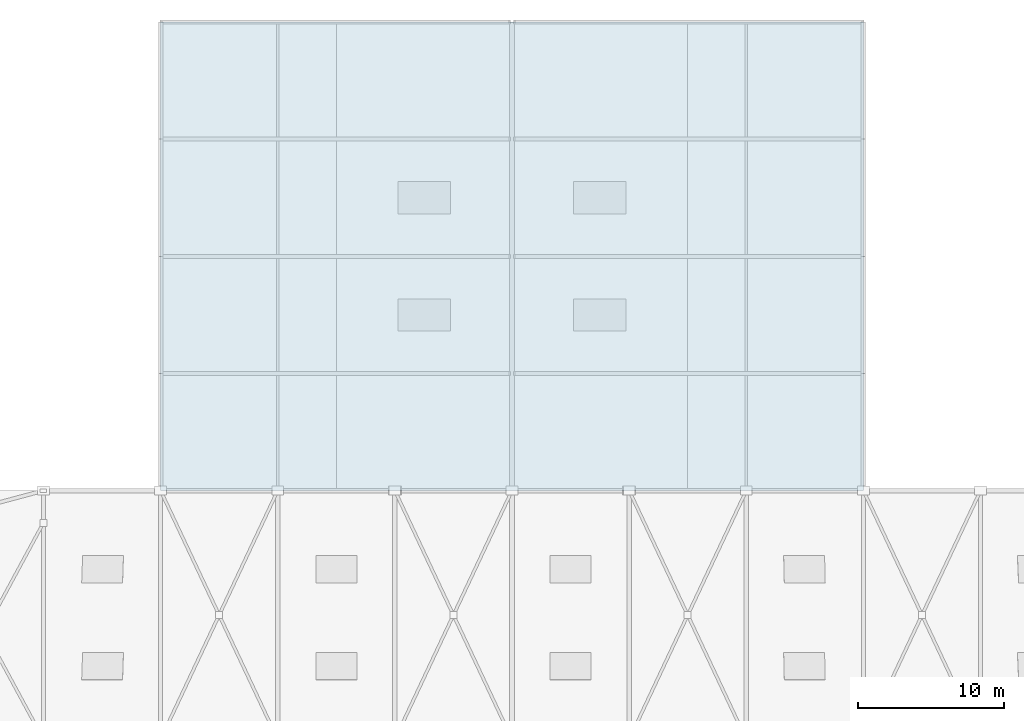
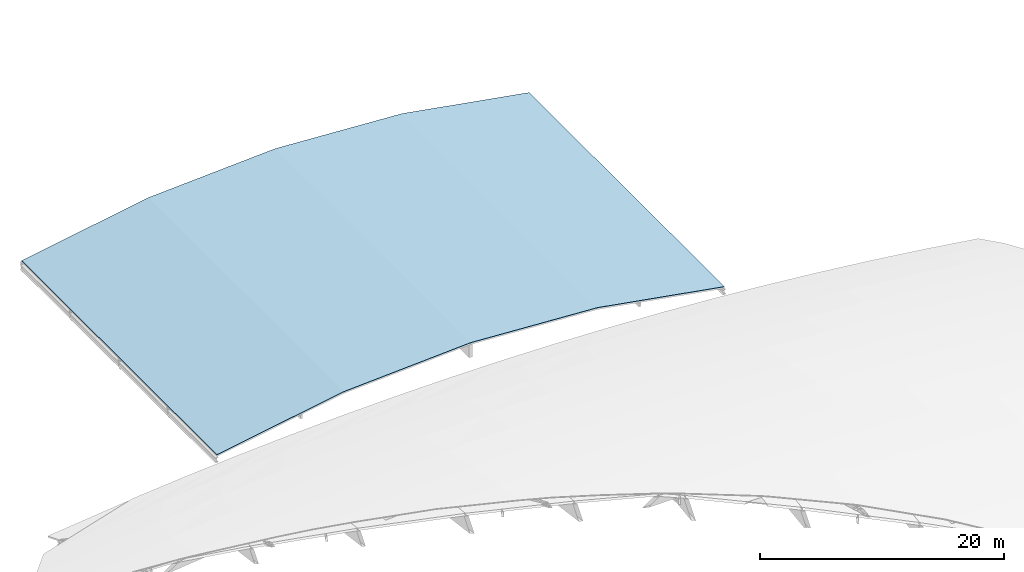
# One storey, part 10 of 11: 1 roof.
"""IFC4 building model written with IfcOpenShell, lengths in metres."""

import ifcopenshell
import ifcopenshell.guid

model = None  # the IFC model being written
_history = None  # IfcOwnerHistory: only IFC2X3 demands one
_inside = {}  # id of a spatial element -> (the spatial element, [elements in it])
_under = {}  # id of a project, library or spatial element -> (it, [spatial elements below it])
_declared = {}  # id of a project -> (the project, [libraries it declares])
_typed = {}  # id of a type object -> (the type object, [elements of that type])
_made_of = {}  # id of a material, layer set ... -> (it, [elements and type objects made of it])


def new_model(schema):
    """Start an empty IFC model of exactly this schema.

    Asked for "IFC4X3", IfcOpenShell would pick the latest addendum, in which some entities
    have other attributes; the version numbers below select the first issue.
    IFC2X3 requires an IfcOwnerHistory on every rooted entity: one is made here for all.
    """
    global model, _history
    if schema == "IFC4X3":
        model = ifcopenshell.file(schema_version=(4, 3, 0, 0))
    else:
        model = ifcopenshell.file(schema=schema)
    _inside.clear()
    _under.clear()
    _declared.clear()
    _typed.clear()
    _made_of.clear()
    _history = None
    if model.schema == "IFC2X3":
        org = make("IfcOrganization", Name="unknown")
        user = make(
            "IfcPersonAndOrganization",
            ThePerson=make("IfcPerson", FamilyName="unknown"),
            TheOrganization=org,
        )
        app = make(
            "IfcApplication",
            ApplicationDeveloper=org,
            Version="unknown",
            ApplicationFullName="unknown",
            ApplicationIdentifier="unknown",
        )
        _history = make(
            "IfcOwnerHistory",
            OwningUser=user,
            OwningApplication=app,
            ChangeAction="ADDED",
            CreationDate=0,
        )
    return model


def make(cls, **values):
    """One entity of the class cls with the attributes given. An attribute that is None is left unset."""
    return model.create_entity(
        cls, **{name: value for name, value in values.items() if value is not None}
    )


def rooted(cls, **values):
    """An entity with a GlobalId (a new one), such as an element, a storey or a relation."""
    return make(cls, GlobalId=ifcopenshell.guid.new(), OwnerHistory=_history, **values)


def si_unit(unit_type, name, prefix=None):
    """IfcSIUnit, for example si_unit("LENGTHUNIT", "METRE", prefix="MILLI")."""
    return make("IfcSIUnit", UnitType=unit_type, Prefix=prefix, Name=name)


def assignment(units):
    """IfcUnitAssignment: the units of a project."""
    return None if units is None else make("IfcUnitAssignment", Units=units)


def point(xyz):
    """IfcCartesianPoint."""
    return None if xyz is None else make("IfcCartesianPoint", Coordinates=xyz)


def direction(xyz):
    """IfcDirection."""
    return None if xyz is None else make("IfcDirection", DirectionRatios=xyz)


def frame(location, z_axis=None, x_axis=None):
    """IfcAxis2Placement3D, a coordinate frame: its origin and axes. An axis left out is left unset."""
    return make(
        "IfcAxis2Placement3D",
        Location=point(location),
        Axis=direction(z_axis),
        RefDirection=direction(x_axis),
    )


def origin():
    """The frame at (0, 0, 0) with its axes left unset."""
    return frame((0.0, 0.0, 0.0))


def place(relative_to, where):
    """IfcLocalPlacement: puts the frame where relative to a parent placement (None: the world)."""
    return make(
        "IfcLocalPlacement", PlacementRelTo=relative_to, RelativePlacement=where
    )


def context(
    kind, dimensions, precision=None, world=None, true_north=None, identifier=None
):
    """IfcGeometricRepresentationContext, for example the 3D "Model" context."""
    return make(
        "IfcGeometricRepresentationContext",
        ContextIdentifier=identifier,
        ContextType=kind,
        CoordinateSpaceDimension=dimensions,
        Precision=precision,
        WorldCoordinateSystem=world,
        TrueNorth=true_north,
    )


def subcontext(parent, identifier, kind, view, scale=None):
    """IfcGeometricRepresentationSubContext, for example "Body" below "Model"."""
    return make(
        "IfcGeometricRepresentationSubContext",
        ContextIdentifier=identifier,
        ContextType=kind,
        ParentContext=parent,
        TargetScale=scale,
        TargetView=view,
    )


def project(units=None, contexts=None):
    """IfcProject with its units and contexts."""
    return rooted(
        "IfcProject",
        Name="project",
        RepresentationContexts=contexts,
        UnitsInContext=assignment(units),
    )


def spatial(cls, under=None, at=None, **own):
    """A site, building, storey or space (cls), placed at a placement, below another one or the project."""
    s = rooted(cls, ObjectPlacement=at, **own)
    if under is not None:
        _under.setdefault(under.id(), (under, []))[1].append(s)
    return s


def polyline(points):
    """IfcPolyline through the points."""
    return make("IfcPolyline", Points=[point(p) for p in points])


def outline(outer, holes=None, kind="AREA"):
    """IfcArbitraryClosedProfileDef: a profile drawn as a closed curve; with holes, ...WithVoids."""
    if holes is None:
        return make("IfcArbitraryClosedProfileDef", ProfileType=kind, OuterCurve=outer)
    return make(
        "IfcArbitraryProfileDefWithVoids",
        ProfileType=kind,
        OuterCurve=outer,
        InnerCurves=holes,
    )


def extrude(swept, where, along, depth):
    """IfcExtrudedAreaSolid: the profile swept, set in the frame where, extruded along a direction by depth."""
    return make(
        "IfcExtrudedAreaSolid",
        SweptArea=swept,
        Position=where,
        ExtrudedDirection=direction(along),
        Depth=depth,
    )


def shape(context_of_items, identifier, shape_type, items):
    """IfcShapeRepresentation: the items that make up one representation, for example the "Body"."""
    return make(
        "IfcShapeRepresentation",
        ContextOfItems=context_of_items,
        RepresentationIdentifier=identifier,
        RepresentationType=shape_type,
        Items=items,
    )


def material(Name=None, Category=None):
    """IfcMaterial."""
    return make("IfcMaterial", Name=Name, Category=Category)


def layer(
    of_material, thickness, ventilated=None, Name=None, Category=None, Priority=None
):
    """IfcMaterialLayer: one layer of a wall or slab, of a material (None: an air gap)."""
    return make(
        "IfcMaterialLayer",
        Material=of_material,
        LayerThickness=thickness,
        IsVentilated=ventilated,
        Name=Name,
        Category=Category,
        Priority=Priority,
    )


def layer_set(layers, Name=None):
    """IfcMaterialLayerSet."""
    return make("IfcMaterialLayerSet", MaterialLayers=layers, LayerSetName=Name)


def made_of(thing, what):
    """Note that an element or type object is made of a material, layer set ...; save() writes the relation."""
    if what is not None:
        _made_of.setdefault(what.id(), (what, []))[1].append(thing)
    return thing


def type_object(cls, material=None, **own):
    """A type object (cls), such as IfcWallType, which elements share."""
    return made_of(rooted(cls, **own), material)


def element(
    cls,
    number,
    at=None,
    inside=None,
    cuts=None,
    type_object=None,
    material=None,
    context=None,
    identifier="Body",
    shape_type=None,
    held_by="IfcProductDefinitionShape",
    body=None,
    shapes=None,
    **own,
):
    """One element of the class cls, such as IfcWall. Its Tag is "e" and its number.

    at: its placement. inside: the storey or other place that contains it. cuts: it is an
    opening in that element (IfcRelVoidsElement). A single representation is given by context,
    identifier, shape_type and body (its items); several are given by shapes. held_by: the class
    of the entity that holds the representations. save() writes the other relations.
    """
    e = rooted(cls, Tag="e%d" % number, ObjectPlacement=at, **own)
    if body is not None:
        shapes = [shape(context, identifier, shape_type, body)]
    if shapes is not None:
        e.Representation = make(held_by, Representations=shapes)
    if inside is not None:
        _inside.setdefault(inside.id(), (inside, []))[1].append(e)
    if cuts is not None:
        rooted(
            "IfcRelVoidsElement", RelatingBuildingElement=cuts, RelatedOpeningElement=e
        )
    if type_object is not None:
        _typed.setdefault(type_object.id(), (type_object, []))[1].append(e)
    return made_of(e, material)


def aggregate(whole, parts):
    """IfcRelAggregates: a whole, such as a stair, and the parts it consists of."""
    return rooted("IfcRelAggregates", RelatingObject=whole, RelatedObjects=parts)


def save(model, path):
    """Write the relations noted so far, then the file.

    IfcRelAggregates (storeys below a building ...), IfcRelContainedInSpatialStructure (elements
    in a storey), IfcRelDefinesByType, IfcRelAssociatesMaterial and IfcRelDeclares: one each for
    every whole, place, type object, material and project.
    """
    for whole, parts in _under.values():
        aggregate(whole, parts)
    for where, things in _inside.values():
        rooted(
            "IfcRelContainedInSpatialStructure",
            RelatedElements=things,
            RelatingStructure=where,
        )
    for kind, things in _typed.values():
        rooted("IfcRelDefinesByType", RelatedObjects=things, RelatingType=kind)
    for what, things in _made_of.values():
        rooted("IfcRelAssociatesMaterial", RelatedObjects=things, RelatingMaterial=what)
    for by, libraries in _declared.values():
        rooted("IfcRelDeclares", RelatingContext=by, RelatedDefinitions=libraries)
    model.write(path)


model = new_model("IFC4")

# Units and contexts
model_context = context("Model", 3, precision=1e-05, world=origin(), true_north=direction((0.0, 1.0)))
body_context = subcontext(model_context, "Body", "Model", "MODEL_VIEW")
ifc_project = project(units=[si_unit("LENGTHUNIT", "METRE"), si_unit("AREAUNIT", "SQUARE_METRE"), si_unit("VOLUMEUNIT", "CUBIC_METRE"), si_unit("PLANEANGLEUNIT", "RADIAN"), si_unit("MASSUNIT", "GRAM", prefix="KILO")], contexts=[model_context])

# Site, building, storey
site_placement = place(None, origin())
site = spatial("IfcSite", under=ifc_project, at=site_placement, CompositionType="ELEMENT")
building_placement = place(site_placement, origin())
building = spatial("IfcBuilding", under=site, at=building_placement, Name="Drelvana Railside Aquatics Centre", CompositionType="ELEMENT")
storey_placement = place(building_placement, frame((0.0, 0.0, 22.800048828125)))
storey = spatial("IfcBuildingStorey", under=building, at=storey_placement, Name="Roof", CompositionType="ELEMENT", Elevation=22.800048828125)

# Roof
ifc_material = material(Name="Glulam timber GL28h", Category="wood")
ifc_layer = layer(ifc_material, 0.159912109375, Name="Glulam timber GL28h")
ifc_layer_set = layer_set([ifc_layer], Name="Glulam timber GL28h")
roof_type = type_object("IfcRoofType", Name="RF-BARREL-V2", PredefinedType="BARREL_ROOF", material=ifc_layer_set)
roof_placement = place(storey_placement, frame((0.0, 116.0, -22.800048828125), z_axis=(0.0, -1.0, 0.0), x_axis=(1.0, 0.0, 0.0)))
element("IfcRoof", 1, at=roof_placement, inside=storey, type_object=roof_type, Name="Diving Hall barrel vault roof", PredefinedType="BARREL_ROOF", context=body_context, shape_type="SweptSolid", body=[
    extrude(outline(polyline([(24.0, 18.6298828125), (36.0, 20.72998046875), (48.0, 21.429931640625), (60.0, 20.72998046875), (72.0, 18.6298828125), (72.0, 18.579833984375), (60.0, 20.679931640625), (48.0, 21.3798828125), (36.0, 20.679931640625), (24.0, 18.579833984375), (24.0, 18.6298828125)])), origin(), (0.0, 0.0, 1.0), 32.0),
])

save(model, "model.ifc")
